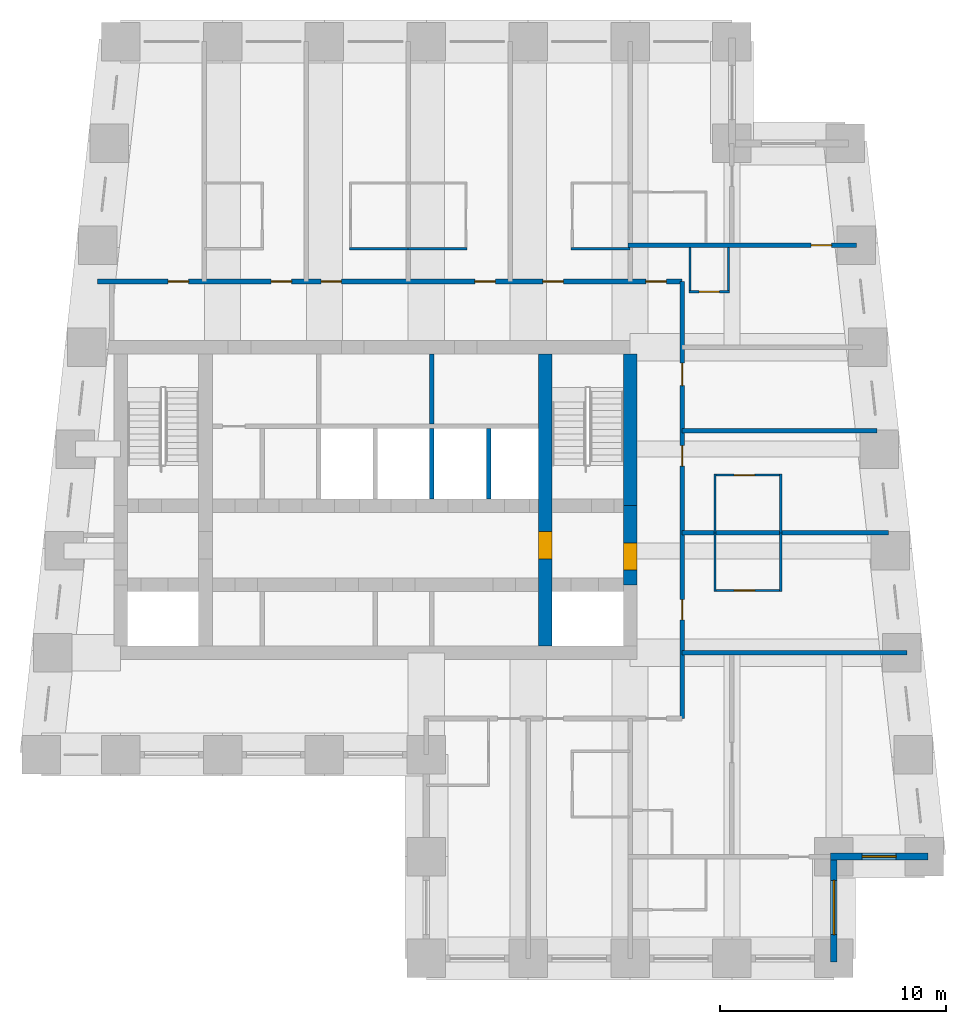
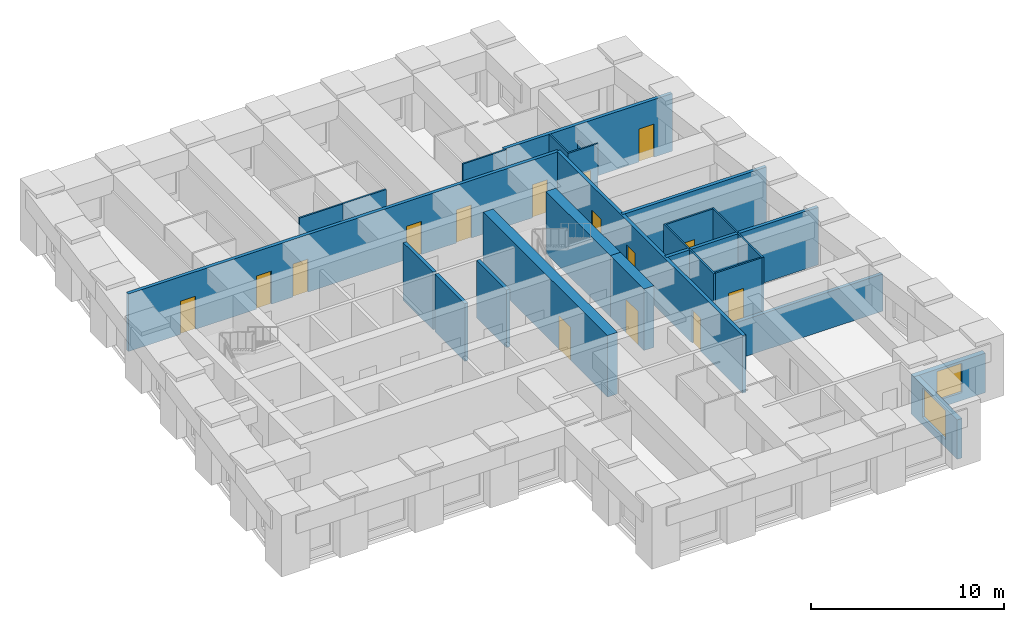
# One storey, part 4 of 7: 26 walls, 15 doors, 2 windows, 17 openings.
"""IFC4 building model written with IfcOpenShell, lengths in metres."""

from ifc_helpers import new_model, si_unit, direction, frame, frame_2d, origin, place, context, subcontext, project, spatial, rectangle, extrude, material, layer, layer_set, type_object, element, fill, save


model = new_model("IFC4")

# Units and contexts
model_context = context("Model", 3, precision=1e-05, world=origin(), true_north=direction((0.0, 1.0)))
body_context = subcontext(model_context, "Body", "Model", "MODEL_VIEW")
ifc_project = project(units=[si_unit("LENGTHUNIT", "METRE"), si_unit("AREAUNIT", "SQUARE_METRE"), si_unit("VOLUMEUNIT", "CUBIC_METRE"), si_unit("PLANEANGLEUNIT", "RADIAN"), si_unit("MASSUNIT", "GRAM", prefix="KILO")], contexts=[model_context])

# Site, building, storey
site_placement = place(None, origin())
site = spatial("IfcSite", under=ifc_project, at=site_placement, CompositionType="ELEMENT")
building_placement = place(site_placement, origin())
building = spatial("IfcBuilding", under=site, at=building_placement, Name="Kilele Tower Hotel", CompositionType="ELEMENT")
storey_placement = place(building_placement, frame((0.0, 0.0, 225.199951171875)))
storey = spatial("IfcBuildingStorey", under=building, at=storey_placement, Name="L58", CompositionType="ELEMENT", Elevation=225.199951171875)

# Walls
ifc_material_1 = material(Name="Moisture-resistant board")
ifc_layer_1 = layer(ifc_material_1, 0.10009765625)
ifc_layer_set_1 = layer_set([ifc_layer_1], Name="Moisture-resistant board")
wall_type_1 = type_object("IfcWallType", Name="Bathroom partition 100", PredefinedType="PLUMBINGWALL", material=ifc_layer_set_1)
for number, where, z_axis, x_axis, name in (
    (1, (39.75, 16.199951171875, 0.0), (0.0, 0.0, 1.0), (0.0, 1.0, 0.0), "Bathroom partition 100 L58"),
    (2, (42.64990234375, 16.199951171875, 0.0), (0.0, 0.0, 1.0), (0.0, 1.0, 0.0), "Bathroom partition 100 L58"),
):
    element("IfcWall", number, at=place(storey_placement, frame(where, z_axis=z_axis, x_axis=x_axis)), inside=storey, type_object=wall_type_1, Name=name, PredefinedType="PLUMBINGWALL", context=body_context, shape_type="SweptSolid", body=[
        extrude(rectangle(XDim=2.60009765625, YDim=0.10009765625, at=frame_2d((1.300048828125, 0.0))), origin(), (0.0, 0.0, 1.0), 3.650146484375),
    ])

# Wall, opening, door
wall_1_placement = place(storey_placement, frame((39.699951171875, 16.25, 0.0), z_axis=(0.0, 0.0, 1.0), x_axis=(1.0, 0.0, 0.0)))
wall_1 = element("IfcWall", 3, at=wall_1_placement, inside=storey, type_object=wall_type_1, Name="Bathroom partition 100 L58", PredefinedType="PLUMBINGWALL", context=body_context, shape_type="SweptSolid", body=[
    extrude(rectangle(XDim=3.0, YDim=0.10009765625, at=frame_2d((1.5, 0.0))), origin(), (0.0, 0.0, 1.0), 3.650146484375),
])
opening_1_placement = place(wall_1_placement, frame((1.7998046875, 0.0, 0.0), z_axis=(0.0, 0.0, 1.0), x_axis=(-1.0, 0.0, 0.0)))
opening_1 = element("IfcOpeningElement", 4, at=opening_1_placement, cuts=wall_1, Name="Opening D2A", PredefinedType="OPENING", context=body_context, shape_type="SweptSolid", body=[
    extrude(rectangle(XDim=0.89990234375, YDim=2.10009765625, at=frame_2d((0.449951171875, 1.050048828125))), frame((0.0, 0.06005859375, 0.0), z_axis=(0.0, -1.0, 0.0), x_axis=(1.0, 0.0, 0.0)), (0.0, 0.0, 1.0), 0.1201171875),
])
ifc_material_2 = material(Name="Timber door leaf in hardwood frame", Category="wood")
door_type_1 = type_object("IfcDoorType", Name="Bathroom door 900", OperationType="SINGLE_SWING_LEFT", PredefinedType="DOOR", material=ifc_material_2)
door_1_placement = place(opening_1_placement, origin())
door_1 = element("IfcDoor", 5, at=door_1_placement, inside=storey, type_object=door_type_1, Name="Bathroom door 5804B", OperationType="SINGLE_SWING_RIGHT", OverallHeight=2.10009765625, OverallWidth=0.89990234375, PredefinedType="DOOR", context=body_context, shape_type="SweptSolid", body=[
    extrude(rectangle(XDim=0.89990234375, YDim=2.10009765625, at=frame_2d((0.449951171875, 1.050048828125))), frame((0.0, 0.02490234375, 0.0), z_axis=(0.0, -1.0, 0.0), x_axis=(1.0, 0.0, 0.0)), (0.0, 0.0, 1.0), 0.050048828125),
])
fill(opening_1, door_1)

# Walls
for number, where, z_axis, x_axis, name in (
    (6, (39.75, 18.800048828125, 0.0), (0.0, 0.0, 1.0), (0.0, 1.0, 0.0), "Bathroom partition 100 L58"),
    (7, (42.64990234375, 18.800048828125, 0.0), (0.0, 0.0, 1.0), (0.0, 1.0, 0.0), "Bathroom partition 100 L58"),
):
    element("IfcWall", number, at=place(storey_placement, frame(where, z_axis=z_axis, x_axis=x_axis)), inside=storey, type_object=wall_type_1, Name=name, PredefinedType="PLUMBINGWALL", context=body_context, shape_type="SweptSolid", body=[
        extrude(rectangle(XDim=2.599853515625, YDim=0.10009765625, at=frame_2d((1.2998046875, 0.0))), origin(), (0.0, 0.0, 1.0), 3.650146484375),
    ])

# Wall, opening, door
wall_2_placement = place(storey_placement, frame((39.699951171875, 21.35009765625, 0.0), z_axis=(0.0, 0.0, 1.0), x_axis=(1.0, 0.0, 0.0)))
wall_2 = element("IfcWall", 8, at=wall_2_placement, inside=storey, type_object=wall_type_1, Name="Bathroom partition 100 L58", PredefinedType="PLUMBINGWALL", context=body_context, shape_type="SweptSolid", body=[
    extrude(rectangle(XDim=3.0, YDim=0.10009765625, at=frame_2d((1.5, 0.0))), origin(), (0.0, 0.0, 1.0), 3.650146484375),
])
opening_2_placement = place(wall_2_placement, frame((0.89990234375, 0.0, 0.0)))
opening_2 = element("IfcOpeningElement", 9, at=opening_2_placement, cuts=wall_2, Name="Opening D2A", PredefinedType="OPENING", context=body_context, shape_type="SweptSolid", body=[
    extrude(rectangle(XDim=0.89990234375, YDim=2.10009765625, at=frame_2d((0.449951171875, 1.050048828125))), frame((0.0, 0.06005859375, 0.0), z_axis=(0.0, -1.0, 0.0), x_axis=(1.0, 0.0, 0.0)), (0.0, 0.0, 1.0), 0.1201171875),
])
door_2_placement = place(opening_2_placement, origin())
door_2 = element("IfcDoor", 10, at=door_2_placement, inside=storey, type_object=door_type_1, Name="Bathroom door 5805B", OperationType="SINGLE_SWING_LEFT", OverallHeight=2.10009765625, OverallWidth=0.89990234375, PredefinedType="DOOR", context=body_context, shape_type="SweptSolid", body=[
    extrude(rectangle(XDim=0.89990234375, YDim=2.10009765625, at=frame_2d((0.449951171875, 1.050048828125))), frame((0.0, 0.02490234375, 0.0), z_axis=(0.0, -1.0, 0.0), x_axis=(1.0, 0.0, 0.0)), (0.0, 0.0, 1.0), 0.050048828125),
])
fill(opening_2, door_2)

# Walls
wall_3_placement = place(storey_placement, frame((23.60009765625, 31.35009765625, 0.0), z_axis=(0.0, 0.0, 1.0), x_axis=(1.0, 0.0, 0.0)))
element("IfcWall", 11, at=wall_3_placement, inside=storey, type_object=wall_type_1, Name="Bathroom partition 100 L58", PredefinedType="PLUMBINGWALL", context=body_context, shape_type="SweptSolid", body=[
    extrude(rectangle(XDim=2.599853515625, YDim=0.10009765625, at=frame_2d((1.2998046875, 0.0))), origin(), (0.0, 0.0, 1.0), 3.650146484375),
])
for number, where, z_axis, x_axis, name in (
    (12, (26.199951171875, 31.35009765625, 0.0), (0.0, 0.0, 1.0), (1.0, 0.0, 0.0), "Bathroom partition 100 L58"),
    (13, (33.39990234375, 31.35009765625, 0.0), (0.0, 0.0, 1.0), (1.0, 0.0, 0.0), "Bathroom partition 100 L58"),
):
    element("IfcWall", number, at=place(storey_placement, frame(where, z_axis=z_axis, x_axis=x_axis)), inside=storey, type_object=wall_type_1, Name=name, PredefinedType="PLUMBINGWALL", context=body_context, shape_type="SweptSolid", body=[
        extrude(rectangle(XDim=2.60009765625, YDim=0.10009765625, at=frame_2d((1.300048828125, 0.0))), origin(), (0.0, 0.0, 1.0), 3.650146484375),
    ])
wall_4_placement = place(storey_placement, frame((40.35009765625, 31.39990234375, 0.0), z_axis=(0.0, 0.0, 1.0), x_axis=(0.0, -1.0, 0.0)))
element("IfcWall", 14, at=wall_4_placement, inside=storey, type_object=wall_type_1, Name="Bathroom partition 100 L58", PredefinedType="PLUMBINGWALL", context=body_context, shape_type="SweptSolid", body=[
    extrude(rectangle(XDim=2.0, YDim=0.10009765625, at=frame_2d((1.0, 0.0))), origin(), (0.0, 0.0, 1.0), 2.650146484375),
])
wall_5_placement = place(storey_placement, frame((38.64990234375, 31.39990234375, 0.0), z_axis=(0.0, 0.0, 1.0), x_axis=(0.0, -1.0, 0.0)))
element("IfcWall", 15, at=wall_5_placement, inside=storey, type_object=wall_type_1, Name="Bathroom partition 100 L58", PredefinedType="PLUMBINGWALL", context=body_context, shape_type="SweptSolid", body=[
    extrude(rectangle(XDim=2.0, YDim=0.10009765625, at=frame_2d((1.0, 0.0))), origin(), (0.0, 0.0, 1.0), 3.650146484375),
])

# Wall, opening, door
wall_6_placement = place(storey_placement, frame((38.60009765625, 29.449951171875, 0.0), z_axis=(0.0, 0.0, 1.0), x_axis=(1.0, 0.0, 0.0)))
wall_6 = element("IfcWall", 16, at=wall_6_placement, inside=storey, type_object=wall_type_1, Name="Bathroom partition 100 L58", PredefinedType="PLUMBINGWALL", context=body_context, shape_type="SweptSolid", body=[
    extrude(rectangle(XDim=1.7998046875, YDim=0.10009765625, at=frame_2d((0.89990234375, 0.0))), origin(), (0.0, 0.0, 1.0), 3.650146484375),
])
opening_3_placement = place(wall_6_placement, frame((1.349853515625, 0.0, 0.0), z_axis=(0.0, 0.0, 1.0), x_axis=(-1.0, 0.0, 0.0)))
opening_3 = element("IfcOpeningElement", 17, at=opening_3_placement, cuts=wall_6, Name="Opening D2A", PredefinedType="OPENING", context=body_context, shape_type="SweptSolid", body=[
    extrude(rectangle(XDim=0.89990234375, YDim=2.10009765625, at=frame_2d((0.449951171875, 1.050048828125))), frame((0.0, 0.06005859375, 0.0), z_axis=(0.0, -1.0, 0.0), x_axis=(1.0, 0.0, 0.0)), (0.0, 0.0, 1.0), 0.1201171875),
])
door_3_placement = place(opening_3_placement, origin())
door_3 = element("IfcDoor", 18, at=door_3_placement, inside=storey, type_object=door_type_1, Name="Bathroom door 5815P", OperationType="SINGLE_SWING_RIGHT", OverallHeight=2.10009765625, OverallWidth=0.89990234375, PredefinedType="DOOR", context=body_context, shape_type="SweptSolid", body=[
    extrude(rectangle(XDim=0.89990234375, YDim=2.10009765625, at=frame_2d((0.449951171875, 1.050048828125))), frame((0.0, 0.02490234375, 0.0), z_axis=(0.0, -1.0, 0.0), x_axis=(1.0, 0.0, 0.0)), (0.0, 0.0, 1.0), 0.050048828125),
])
fill(opening_3, door_3)

ifc_material_3 = material(Name="Concrete C60/75", Category="concrete")
ifc_layer_2 = layer(ifc_material_3, 0.60009765625)
ifc_layer_set_2 = layer_set([ifc_layer_2], Name="Concrete C60/75")
wall_type_2 = type_object("IfcWallType", Name="Core wall 600 C60/75", PredefinedType="SHEAR", material=ifc_layer_set_2)
wall_7_placement = place(storey_placement, frame((32.25, 13.800048828125, 0.0), z_axis=(0.0, 0.0, 1.0), x_axis=(0.0, 1.0, 0.0)))
wall_7 = element("IfcWall", 19, at=wall_7_placement, inside=storey, type_object=wall_type_2, Name="Core wall IE L58", PredefinedType="SHEAR", context=body_context, shape_type="SweptSolid", body=[
    extrude(rectangle(XDim=12.89990234375, YDim=0.60009765625, at=frame_2d((6.449951171875, 0.0))), origin(), (0.0, 0.0, 1.0), 3.900146484375),
])
opening_4_placement = place(wall_7_placement, frame((5.050048828125, 0.0, 0.0), z_axis=(0.0, 0.0, 1.0), x_axis=(-1.0, 0.0, 0.0)))
opening_4 = element("IfcOpeningElement", 20, at=opening_4_placement, cuts=wall_7, Name="Opening D4", PredefinedType="OPENING", context=body_context, shape_type="SweptSolid", body=[
    extrude(rectangle(XDim=1.199951171875, YDim=2.10009765625, at=frame_2d((0.60009765625, 1.050048828125))), frame((0.0, 0.31005859375, 0.0), z_axis=(0.0, -1.0, 0.0), x_axis=(1.0, 0.0, 0.0)), (0.0, 0.0, 1.0), 0.6201171875),
])
ifc_material_4 = material(Name="Timber door leaf in hardwood frame", Category="wood")
door_type_2 = type_object("IfcDoorType", Name="Firefighting lobby door 1200", OperationType="SINGLE_SWING_LEFT", PredefinedType="DOOR", material=ifc_material_4)
door_4_placement = place(opening_4_placement, origin())
door_4 = element("IfcDoor", 21, at=door_4_placement, inside=storey, type_object=door_type_2, Name="Lobby door L58", OperationType="SINGLE_SWING_RIGHT", OverallHeight=2.10009765625, OverallWidth=1.199951171875, PredefinedType="DOOR", context=body_context, shape_type="SweptSolid", body=[
    extrude(rectangle(XDim=1.199951171875, YDim=2.10009765625, at=frame_2d((0.60009765625, 1.050048828125))), frame((0.0, 0.2998046875, 0.0), z_axis=(0.0, -1.0, 0.0), x_axis=(1.0, 0.0, 0.0)), (0.0, 0.0, 1.0), 0.599609375),
])
fill(opening_4, door_4)

wall_8_placement = place(storey_placement, frame((36.0, 16.5, 0.0), z_axis=(0.0, 0.0, 1.0), x_axis=(0.0, 1.0, 0.0)))
wall_8 = element("IfcWall", 22, at=wall_8_placement, inside=storey, type_object=wall_type_2, Name="Core wall E2 L58", PredefinedType="SHEAR", context=body_context, shape_type="SweptSolid", body=[
    extrude(rectangle(XDim=3.5, YDim=0.60009765625, at=frame_2d((1.75, 0.0))), origin(), (0.0, 0.0, 1.0), 3.900146484375),
])
opening_5_placement = place(wall_8_placement, frame((0.64990234375, 0.0, 0.0)))
opening_5 = element("IfcOpeningElement", 23, at=opening_5_placement, cuts=wall_8, Name="Opening D4", PredefinedType="OPENING", context=body_context, shape_type="SweptSolid", body=[
    extrude(rectangle(XDim=1.199951171875, YDim=2.10009765625, at=frame_2d((0.60009765625, 1.050048828125))), frame((0.0, 0.31005859375, 0.0), z_axis=(0.0, -1.0, 0.0), x_axis=(1.0, 0.0, 0.0)), (0.0, 0.0, 1.0), 0.6201171875),
])
door_5_placement = place(opening_5_placement, origin())
door_5 = element("IfcDoor", 24, at=door_5_placement, inside=storey, type_object=door_type_2, Name="Lobby door L58", OperationType="SINGLE_SWING_LEFT", OverallHeight=2.10009765625, OverallWidth=1.199951171875, PredefinedType="DOOR", context=body_context, shape_type="SweptSolid", body=[
    extrude(rectangle(XDim=1.199951171875, YDim=2.10009765625, at=frame_2d((0.60009765625, 1.050048828125))), frame((0.0, 0.2998046875, 0.0), z_axis=(0.0, -1.0, 0.0), x_axis=(1.0, 0.0, 0.0)), (0.0, 0.0, 1.0), 0.599609375),
])
fill(opening_5, door_5)

# Wall
wall_9_placement = place(storey_placement, frame((36.0, 20.0, 0.0), z_axis=(0.0, 0.0, 1.0), x_axis=(0.0, 1.0, 0.0)))
element("IfcWall", 25, at=wall_9_placement, inside=storey, type_object=wall_type_2, Name="Core wall E3 L58", PredefinedType="SHEAR", context=body_context, shape_type="SweptSolid", body=[
    extrude(rectangle(XDim=6.699951171875, YDim=0.60009765625, at=frame_2d((3.35009765625, 0.0))), origin(), (0.0, 0.0, 1.0), 3.900146484375),
])

# Wall, openings, doors
ifc_material_5 = material(Name="Blockwork, plastered both sides", Category="masonry")
ifc_layer_3 = layer(ifc_material_5, 0.199951171875)
ifc_layer_set_3 = layer_set([ifc_layer_3], Name="Blockwork, plastered both sides")
wall_type_3 = type_object("IfcWallType", Name="Corridor wall 200", PredefinedType="PARTITIONING", material=ifc_layer_set_3)
wall_10_placement = place(storey_placement, frame((12.47314453125, 29.89990234375, 0.0), z_axis=(0.0, 0.0, 1.0), x_axis=(1.0, 0.0, 0.0)))
wall_10 = element("IfcWall", 26, at=wall_10_placement, inside=storey, type_object=wall_type_3, Name="Corridor wall 200 L58", PredefinedType="PARTITIONING", context=body_context, shape_type="SweptSolid", body=[
    extrude(rectangle(XDim=25.826904296875, YDim=0.199951171875, at=frame_2d((12.91357421875, 0.0))), origin(), (0.0, 0.0, 1.0), 3.650146484375),
])
opening_6_placement = place(wall_10_placement, frame((3.126953125, 0.0, 0.0)))
opening_6 = element("IfcOpeningElement", 27, at=opening_6_placement, cuts=wall_10, Name="Opening D1", PredefinedType="OPENING", context=body_context, shape_type="SweptSolid", body=[
    extrude(rectangle(XDim=0.89990234375, YDim=2.10009765625, at=frame_2d((0.449951171875, 1.050048828125))), frame((0.0, 0.10986328125, 0.0), z_axis=(0.0, -1.0, 0.0), x_axis=(1.0, 0.0, 0.0)), (0.0, 0.0, 1.0), 0.219970703125),
])
opening_7_placement = place(wall_10_placement, frame((7.677001953125, 0.0, 0.0)))
opening_7 = element("IfcOpeningElement", 28, at=opening_7_placement, cuts=wall_10, Name="Opening D1", PredefinedType="OPENING", context=body_context, shape_type="SweptSolid", body=[
    extrude(rectangle(XDim=0.89990234375, YDim=2.10009765625, at=frame_2d((0.449951171875, 1.050048828125))), frame((0.0, 0.10986328125, 0.0), z_axis=(0.0, -1.0, 0.0), x_axis=(1.0, 0.0, 0.0)), (0.0, 0.0, 1.0), 0.219970703125),
])
opening_8_placement = place(wall_10_placement, frame((9.876953125, 0.0, 0.0)))
opening_8 = element("IfcOpeningElement", 29, at=opening_8_placement, cuts=wall_10, Name="Opening D1", PredefinedType="OPENING", context=body_context, shape_type="SweptSolid", body=[
    extrude(rectangle(XDim=0.89990234375, YDim=2.10009765625, at=frame_2d((0.449951171875, 1.050048828125))), frame((0.0, 0.10986328125, 0.0), z_axis=(0.0, -1.0, 0.0), x_axis=(1.0, 0.0, 0.0)), (0.0, 0.0, 1.0), 0.219970703125),
])
opening_9_placement = place(wall_10_placement, frame((16.677001953125, 0.0, 0.0)))
opening_9 = element("IfcOpeningElement", 30, at=opening_9_placement, cuts=wall_10, Name="Opening D1", PredefinedType="OPENING", context=body_context, shape_type="SweptSolid", body=[
    extrude(rectangle(XDim=0.89990234375, YDim=2.10009765625, at=frame_2d((0.449951171875, 1.050048828125))), frame((0.0, 0.10986328125, 0.0), z_axis=(0.0, -1.0, 0.0), x_axis=(1.0, 0.0, 0.0)), (0.0, 0.0, 1.0), 0.219970703125),
])
opening_10_placement = place(wall_10_placement, frame((19.677001953125, 0.0, 0.0)))
opening_10 = element("IfcOpeningElement", 31, at=opening_10_placement, cuts=wall_10, Name="Opening D1", PredefinedType="OPENING", context=body_context, shape_type="SweptSolid", body=[
    extrude(rectangle(XDim=0.89990234375, YDim=2.10009765625, at=frame_2d((0.449951171875, 1.050048828125))), frame((0.0, 0.10986328125, 0.0), z_axis=(0.0, -1.0, 0.0), x_axis=(1.0, 0.0, 0.0)), (0.0, 0.0, 1.0), 0.219970703125),
])
opening_11_placement = place(wall_10_placement, frame((24.226806640625, 0.0, 0.0)))
opening_11 = element("IfcOpeningElement", 32, at=opening_11_placement, cuts=wall_10, Name="Opening D1", PredefinedType="OPENING", context=body_context, shape_type="SweptSolid", body=[
    extrude(rectangle(XDim=0.89990234375, YDim=2.10009765625, at=frame_2d((0.449951171875, 1.050048828125))), frame((0.0, 0.10986328125, 0.0), z_axis=(0.0, -1.0, 0.0), x_axis=(1.0, 0.0, 0.0)), (0.0, 0.0, 1.0), 0.219970703125),
])
ifc_material_6 = material(Name="Timber door leaf in hardwood frame", Category="wood")
door_type_3 = type_object("IfcDoorType", Name="Guest room entrance door 900", OperationType="SINGLE_SWING_LEFT", PredefinedType="DOOR", material=ifc_material_6)
door_6_placement = place(opening_6_placement, origin())
door_6 = element("IfcDoor", 33, at=door_6_placement, inside=storey, type_object=door_type_3, Name="Room entrance 5807", OperationType="SINGLE_SWING_RIGHT", OverallHeight=2.10009765625, OverallWidth=0.89990234375, PredefinedType="DOOR", context=body_context, shape_type="SweptSolid", body=[
    extrude(rectangle(XDim=0.89990234375, YDim=2.10009765625, at=frame_2d((0.449951171875, 1.050048828125))), frame((0.0, 0.02490234375, 0.0), z_axis=(0.0, -1.0, 0.0), x_axis=(1.0, 0.0, 0.0)), (0.0, 0.0, 1.0), 0.050048828125),
])
fill(opening_6, door_6)
door_7_placement = place(opening_7_placement, origin())
door_7 = element("IfcDoor", 34, at=door_7_placement, inside=storey, type_object=door_type_3, Name="Room entrance 5808", OperationType="SINGLE_SWING_RIGHT", OverallHeight=2.10009765625, OverallWidth=0.89990234375, PredefinedType="DOOR", context=body_context, shape_type="SweptSolid", body=[
    extrude(rectangle(XDim=0.89990234375, YDim=2.10009765625, at=frame_2d((0.449951171875, 1.050048828125))), frame((0.0, 0.02490234375, 0.0), z_axis=(0.0, -1.0, 0.0), x_axis=(1.0, 0.0, 0.0)), (0.0, 0.0, 1.0), 0.050048828125),
])
fill(opening_7, door_7)
door_8_placement = place(opening_8_placement, origin())
door_8 = element("IfcDoor", 35, at=door_8_placement, inside=storey, type_object=door_type_3, Name="Room entrance 5809", OperationType="SINGLE_SWING_LEFT", OverallHeight=2.10009765625, OverallWidth=0.89990234375, PredefinedType="DOOR", context=body_context, shape_type="SweptSolid", body=[
    extrude(rectangle(XDim=0.89990234375, YDim=2.10009765625, at=frame_2d((0.449951171875, 1.050048828125))), frame((0.0, 0.02490234375, 0.0), z_axis=(0.0, -1.0, 0.0), x_axis=(1.0, 0.0, 0.0)), (0.0, 0.0, 1.0), 0.050048828125),
])
fill(opening_8, door_8)
door_9_placement = place(opening_9_placement, origin())
door_9 = element("IfcDoor", 36, at=door_9_placement, inside=storey, type_object=door_type_3, Name="Room entrance 5810", OperationType="SINGLE_SWING_RIGHT", OverallHeight=2.10009765625, OverallWidth=0.89990234375, PredefinedType="DOOR", context=body_context, shape_type="SweptSolid", body=[
    extrude(rectangle(XDim=0.89990234375, YDim=2.10009765625, at=frame_2d((0.449951171875, 1.050048828125))), frame((0.0, 0.02490234375, 0.0), z_axis=(0.0, -1.0, 0.0), x_axis=(1.0, 0.0, 0.0)), (0.0, 0.0, 1.0), 0.050048828125),
])
fill(opening_9, door_9)
door_10_placement = place(opening_10_placement, origin())
door_10 = element("IfcDoor", 37, at=door_10_placement, inside=storey, type_object=door_type_3, Name="Room entrance 5811", OperationType="SINGLE_SWING_LEFT", OverallHeight=2.10009765625, OverallWidth=0.89990234375, PredefinedType="DOOR", context=body_context, shape_type="SweptSolid", body=[
    extrude(rectangle(XDim=0.89990234375, YDim=2.10009765625, at=frame_2d((0.449951171875, 1.050048828125))), frame((0.0, 0.02490234375, 0.0), z_axis=(0.0, -1.0, 0.0), x_axis=(1.0, 0.0, 0.0)), (0.0, 0.0, 1.0), 0.050048828125),
])
fill(opening_10, door_10)
door_11_placement = place(opening_11_placement, origin())
door_11 = element("IfcDoor", 38, at=door_11_placement, inside=storey, type_object=door_type_3, Name="Room entrance 5815", OperationType="SINGLE_SWING_LEFT", OverallHeight=2.10009765625, OverallWidth=0.89990234375, PredefinedType="DOOR", context=body_context, shape_type="SweptSolid", body=[
    extrude(rectangle(XDim=0.89990234375, YDim=2.10009765625, at=frame_2d((0.449951171875, 1.050048828125))), frame((0.0, 0.02490234375, 0.0), z_axis=(0.0, -1.0, 0.0), x_axis=(1.0, 0.0, 0.0)), (0.0, 0.0, 1.0), 0.050048828125),
])
fill(opening_11, door_11)

wall_11_placement = place(storey_placement, frame((38.300048828125, 10.60009765625, 0.0), z_axis=(0.0, 0.0, 1.0), x_axis=(0.0, 1.0, 0.0)))
wall_11 = element("IfcWall", 39, at=wall_11_placement, inside=storey, type_object=wall_type_3, Name="Corridor wall 200 L58", PredefinedType="PARTITIONING", context=body_context, shape_type="SweptSolid", body=[
    extrude(rectangle(XDim=19.2998046875, YDim=0.199951171875, at=frame_2d((9.64990234375, 0.0))), origin(), (0.0, 0.0, 1.0), 3.650146484375),
])
opening_12_placement = place(wall_11_placement, frame((5.25, 0.0, 0.0), z_axis=(0.0, 0.0, 1.0), x_axis=(-1.0, 0.0, 0.0)))
opening_12 = element("IfcOpeningElement", 40, at=opening_12_placement, cuts=wall_11, Name="Opening D1", PredefinedType="OPENING", context=body_context, shape_type="SweptSolid", body=[
    extrude(rectangle(XDim=0.89990234375, YDim=2.10009765625, at=frame_2d((0.449951171875, 1.050048828125))), frame((0.0, 0.10986328125, 0.0), z_axis=(0.0, -1.0, 0.0), x_axis=(1.0, 0.0, 0.0)), (0.0, 0.0, 1.0), 0.219970703125),
])
opening_13_placement = place(wall_11_placement, frame((12.0498046875, 0.0, 0.0), z_axis=(0.0, 0.0, 1.0), x_axis=(-1.0, 0.0, 0.0)))
opening_13 = element("IfcOpeningElement", 41, at=opening_13_placement, cuts=wall_11, Name="Opening D1", PredefinedType="OPENING", context=body_context, shape_type="SweptSolid", body=[
    extrude(rectangle(XDim=0.89990234375, YDim=2.10009765625, at=frame_2d((0.449951171875, 1.050048828125))), frame((0.0, 0.10986328125, 0.0), z_axis=(0.0, -1.0, 0.0), x_axis=(1.0, 0.0, 0.0)), (0.0, 0.0, 1.0), 0.219970703125),
])
opening_14_placement = place(wall_11_placement, frame((15.699951171875, 0.0, 0.0), z_axis=(0.0, 0.0, 1.0), x_axis=(-1.0, 0.0, 0.0)))
opening_14 = element("IfcOpeningElement", 42, at=opening_14_placement, cuts=wall_11, Name="Opening D8", PredefinedType="OPENING", context=body_context, shape_type="SweptSolid", body=[
    extrude(rectangle(XDim=1.0, YDim=2.10009765625, at=frame_2d((0.5, 1.050048828125))), frame((0.0, 0.10986328125, 0.0), z_axis=(0.0, -1.0, 0.0), x_axis=(1.0, 0.0, 0.0)), (0.0, 0.0, 1.0), 0.219970703125),
])
ifc_material_7 = material(Name="Timber door leaf in hardwood frame", Category="wood")
door_type_4 = type_object("IfcDoorType", Name="Door 1000", OperationType="SINGLE_SWING_LEFT", PredefinedType="DOOR", material=ifc_material_7)
door_12_placement = place(opening_14_placement, origin())
door_12 = element("IfcDoor", 43, at=door_12_placement, inside=storey, type_object=door_type_4, Name="Room entrance 5806", OperationType="SINGLE_SWING_LEFT", OverallHeight=2.10009765625, OverallWidth=1.0, PredefinedType="DOOR", context=body_context, shape_type="SweptSolid", body=[
    extrude(rectangle(XDim=1.0, YDim=2.10009765625, at=frame_2d((0.5, 1.050048828125))), frame((0.0, 0.02490234375, 0.0), z_axis=(0.0, -1.0, 0.0), x_axis=(1.0, 0.0, 0.0)), (0.0, 0.0, 1.0), 0.050048828125),
])
fill(opening_14, door_12)
door_13_placement = place(opening_12_placement, origin())
door_13 = element("IfcDoor", 44, at=door_13_placement, inside=storey, type_object=door_type_3, Name="Room entrance 5804", OperationType="SINGLE_SWING_RIGHT", OverallHeight=2.10009765625, OverallWidth=0.89990234375, PredefinedType="DOOR", context=body_context, shape_type="SweptSolid", body=[
    extrude(rectangle(XDim=0.89990234375, YDim=2.10009765625, at=frame_2d((0.449951171875, 1.050048828125))), frame((0.0, 0.02490234375, 0.0), z_axis=(0.0, -1.0, 0.0), x_axis=(1.0, 0.0, 0.0)), (0.0, 0.0, 1.0), 0.050048828125),
])
fill(opening_12, door_13)
door_14_placement = place(opening_13_placement, origin())
door_14 = element("IfcDoor", 45, at=door_14_placement, inside=storey, type_object=door_type_3, Name="Room entrance 5805", OperationType="SINGLE_SWING_LEFT", OverallHeight=2.10009765625, OverallWidth=0.89990234375, PredefinedType="DOOR", context=body_context, shape_type="SweptSolid", body=[
    extrude(rectangle(XDim=0.89990234375, YDim=2.10009765625, at=frame_2d((0.449951171875, 1.050048828125))), frame((0.0, 0.02490234375, 0.0), z_axis=(0.0, -1.0, 0.0), x_axis=(1.0, 0.0, 0.0)), (0.0, 0.0, 1.0), 0.050048828125),
])
fill(opening_13, door_14)

# Walls
ifc_material_8 = material(Name="Blockwork, plastered both sides", Category="masonry")
ifc_layer_4 = layer(ifc_material_8, 0.199951171875)
ifc_layer_set_4 = layer_set([ifc_layer_4], Name="Blockwork, plastered both sides")
wall_type_4 = type_object("IfcWallType", Name="Party wall 200", PredefinedType="PARTITIONING", material=ifc_layer_set_4)
wall_12_placement = place(storey_placement, frame((38.300048828125, 18.800048828125, 0.0), z_axis=(0.0, 0.0, 1.0), x_axis=(1.0, 0.0, 0.0)))
element("IfcWall", 46, at=wall_12_placement, inside=storey, type_object=wall_type_4, Name="Party wall 200 L58", PredefinedType="PARTITIONING", context=body_context, shape_type="SweptSolid", body=[
    extrude(rectangle(XDim=9.110107421875, YDim=0.199951171875, at=frame_2d((4.55517578125, 0.0))), origin(), (0.0, 0.0, 1.0), 3.650146484375),
])
wall_13_placement = place(storey_placement, frame((38.300048828125, 23.300048828125, 0.0), z_axis=(0.0, 0.0, 1.0), x_axis=(1.0, 0.0, 0.0)))
element("IfcWall", 47, at=wall_13_placement, inside=storey, type_object=wall_type_4, Name="Party wall 200 L58", PredefinedType="PARTITIONING", context=body_context, shape_type="SweptSolid", body=[
    extrude(rectangle(XDim=8.610107421875, YDim=0.199951171875, at=frame_2d((4.30517578125, 0.0))), origin(), (0.0, 0.0, 1.0), 3.650146484375),
])
wall_14_placement = place(storey_placement, frame((38.300048828125, 13.5, 0.0), z_axis=(0.0, 0.0, 1.0), x_axis=(1.0, 0.0, 0.0)))
element("IfcWall", 48, at=wall_14_placement, inside=storey, type_object=wall_type_4, Name="Party wall 200 L58", PredefinedType="PARTITIONING", context=body_context, shape_type="SweptSolid", body=[
    extrude(rectangle(XDim=9.921142578125, YDim=0.199951171875, at=frame_2d((4.96044921875, 0.0))), origin(), (0.0, 0.0, 1.0), 2.35009765625),
])

# Wall, opening, door
wall_15_placement = place(storey_placement, frame((35.89990234375, 31.5, 0.0), z_axis=(0.0, 0.0, 1.0), x_axis=(1.0, 0.0, 0.0)))
wall_15 = element("IfcWall", 49, at=wall_15_placement, inside=storey, type_object=wall_type_4, Name="Party wall 200 L58", PredefinedType="PARTITIONING", context=body_context, shape_type="SweptSolid", body=[
    extrude(rectangle(XDim=10.09912109375, YDim=0.199951171875, at=frame_2d((5.049560546875, 0.0))), origin(), (0.0, 0.0, 1.0), 3.650146484375),
])
opening_15_placement = place(wall_15_placement, frame((8.09912109375, 0.0, 0.0)))
opening_15 = element("IfcOpeningElement", 50, at=opening_15_placement, cuts=wall_15, Name="Opening D3", PredefinedType="OPENING", context=body_context, shape_type="SweptSolid", body=[
    extrude(rectangle(XDim=0.89990234375, YDim=2.10009765625, at=frame_2d((0.449951171875, 1.050048828125))), frame((0.0, 0.10986328125, 0.0), z_axis=(0.0, -1.0, 0.0), x_axis=(1.0, 0.0, 0.0)), (0.0, 0.0, 1.0), 0.219970703125),
])
ifc_material_9 = material(Name="Timber door leaf in hardwood frame", Category="wood")
door_type_5 = type_object("IfcDoorType", Name="Suite internal door 900", OperationType="SINGLE_SWING_LEFT", PredefinedType="DOOR", material=ifc_material_9)
door_15_placement = place(opening_15_placement, origin())
door_15 = element("IfcDoor", 51, at=door_15_placement, inside=storey, type_object=door_type_5, Name="Suite door 5816", OperationType="SINGLE_SWING_RIGHT", OverallHeight=2.10009765625, OverallWidth=0.89990234375, PredefinedType="DOOR", context=body_context, shape_type="SweptSolid", body=[
    extrude(rectangle(XDim=0.89990234375, YDim=2.10009765625, at=frame_2d((0.449951171875, 1.050048828125))), frame((0.0, 0.02490234375, 0.0), z_axis=(0.0, -1.0, 0.0), x_axis=(1.0, 0.0, 0.0)), (0.0, 0.0, 1.0), 0.050048828125),
])
fill(opening_15, door_15)

# Wall, opening, window
ifc_material_10 = material(Name="Concrete C40/50 precast", Category="concrete")
ifc_layer_5 = layer(ifc_material_10, 0.260009765625, Name="Precast backing", Category="LoadBearing")
ifc_material_11 = material(Name="Reconstituted stone finish", Category="masonry")
ifc_layer_6 = layer(ifc_material_11, 0.0400390625, Name="Face mix", Category="Finish")
ifc_layer_set_5 = layer_set([ifc_layer_5, ifc_layer_6], Name="Precast concrete C40/50, reconstituted stone finish")
wall_type_5 = type_object("IfcWallType", Name="Precast stone facade wall 300", PredefinedType="STANDARD", material=ifc_layer_set_5)
wall_16_placement = place(storey_placement, frame((45.0, -0.14990234375, 0.0), z_axis=(0.0, 0.0, 1.0), x_axis=(0.0, 1.0, 0.0)))
wall_16 = element("IfcWall", 52, at=wall_16_placement, inside=storey, type_object=wall_type_5, Name="Facade wall L58 edge 4", PredefinedType="STANDARD", context=body_context, shape_type="SweptSolid", body=[
    extrude(rectangle(XDim=4.7998046875, YDim=0.300048828125, at=frame_2d((2.39990234375, 0.0))), origin(), (0.0, 0.0, 1.0), 2.5),
])
opening_16_placement = place(wall_16_placement, frame((1.199951171875, 0.0, 0.5)))
opening_16 = element("IfcOpeningElement", 53, at=opening_16_placement, cuts=wall_16, Name="Opening W4", PredefinedType="OPENING", context=body_context, shape_type="SweptSolid", body=[
    extrude(rectangle(XDim=2.39990234375, YDim=1.85009765625, at=frame_2d((1.199951171875, 0.925048828125))), frame((0.0, 0.159912109375, 0.0), z_axis=(0.0, -1.0, 0.0), x_axis=(1.0, 0.0, 0.0)), (0.0, 0.0, 1.0), 0.320068359375),
])
ifc_material_12 = material(Name="Aluminium frame, clear double glazing", Category="aluminium")
window_type_1 = type_object("IfcWindowType", Name="Window W4 2400 x 1850", PartitioningType="SINGLE_PANEL", PredefinedType="WINDOW", material=ifc_material_12)
window_1_placement = place(opening_16_placement, origin())
window_1 = element("IfcWindow", 54, at=window_1_placement, inside=storey, type_object=window_type_1, Name="Window L58", OverallHeight=1.85009765625, OverallWidth=2.39990234375, PartitioningType="SINGLE_PANEL", PredefinedType="WINDOW", context=body_context, shape_type="SweptSolid", body=[
    extrude(rectangle(XDim=2.39990234375, YDim=1.85009765625, at=frame_2d((1.199951171875, 0.925048828125))), frame((0.0, 0.030029296875, 0.0), z_axis=(0.0, -1.0, 0.0), x_axis=(1.0, 0.0, 0.0)), (0.0, 0.0, 1.0), 0.06005859375),
])
fill(opening_16, window_1)

wall_17_placement = place(storey_placement, frame((44.85009765625, 4.5, 0.0), z_axis=(0.0, 0.0, 1.0), x_axis=(1.0, 0.0, 0.0)))
wall_17 = element("IfcWall", 55, at=wall_17_placement, inside=storey, type_object=wall_type_5, Name="Facade wall L58 edge 5", PredefinedType="STANDARD", context=body_context, shape_type="SweptSolid", body=[
    extrude(rectangle(XDim=4.2998046875, YDim=0.300048828125, at=frame_2d((2.14990234375, 0.0))), origin(), (0.0, 0.0, 1.0), 2.5),
])
opening_17_placement = place(wall_17_placement, frame((1.39990234375, 0.0, 0.5)))
opening_17 = element("IfcOpeningElement", 56, at=opening_17_placement, cuts=wall_17, Name="Opening W4", PredefinedType="OPENING", context=body_context, shape_type="SweptSolid", body=[
    extrude(rectangle(XDim=1.5, YDim=1.85009765625, at=frame_2d((0.75, 0.925048828125))), frame((0.0, 0.159912109375, 0.0), z_axis=(0.0, -1.0, 0.0), x_axis=(1.0, 0.0, 0.0)), (0.0, 0.0, 1.0), 0.320068359375),
])
ifc_material_13 = material(Name="Aluminium frame, clear double glazing", Category="aluminium")
window_type_2 = type_object("IfcWindowType", Name="Window W4 1500 x 1850", PartitioningType="SINGLE_PANEL", PredefinedType="WINDOW", material=ifc_material_13)
window_2_placement = place(opening_17_placement, origin())
window_2 = element("IfcWindow", 57, at=window_2_placement, inside=storey, type_object=window_type_2, Name="Window L58", OverallHeight=1.85009765625, OverallWidth=1.5, PartitioningType="SINGLE_PANEL", PredefinedType="WINDOW", context=body_context, shape_type="SweptSolid", body=[
    extrude(rectangle(XDim=1.5, YDim=1.85009765625, at=frame_2d((0.75, 0.925048828125))), frame((0.0, 0.030029296875, 0.0), z_axis=(0.0, -1.0, 0.0), x_axis=(1.0, 0.0, 0.0)), (0.0, 0.0, 1.0), 0.06005859375),
])
fill(opening_17, window_2)

# Walls
ifc_material_14 = material(Name="Blockwork, fire-rated", Category="masonry")
ifc_layer_7 = layer(ifc_material_14, 0.199951171875)
ifc_layer_set_6 = layer_set([ifc_layer_7], Name="Blockwork, fire-rated")
wall_type_6 = type_object("IfcWallType", Name="Shaft wall 200", PredefinedType="PARTITIONING", material=ifc_layer_set_6)
for number, where, z_axis, x_axis, name in (
    (58, (27.25, 20.300048828125, 0.0), (0.0, 0.0, 1.0), (0.0, 1.0, 0.0), "Shaft wall 200 L58"),
    (59, (29.75, 20.300048828125, 0.0), (0.0, 0.0, 1.0), (0.0, 1.0, 0.0), "Shaft wall 200 L58"),
    (60, (27.25, 23.60009765625, 0.0), (0.0, 0.0, 1.0), (0.0, 1.0, 0.0), "Shaft wall 200 L58"),
):
    element("IfcWall", number, at=place(storey_placement, frame(where, z_axis=z_axis, x_axis=x_axis)), inside=storey, type_object=wall_type_6, Name=name, PredefinedType="PARTITIONING", context=body_context, shape_type="SweptSolid", body=[
        extrude(rectangle(XDim=3.099853515625, YDim=0.199951171875, at=frame_2d((1.5498046875, 0.0))), origin(), (0.0, 0.0, 1.0), 3.650146484375),
    ])

save(model, "model.ifc")
